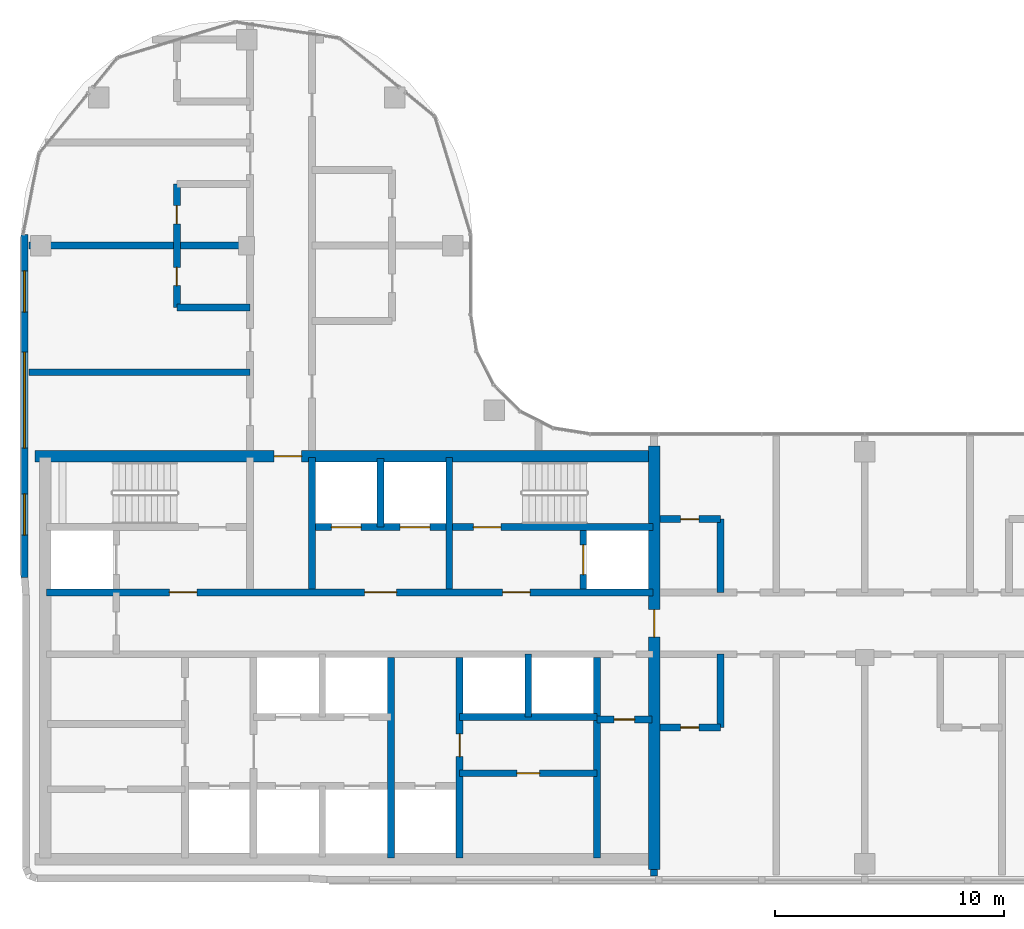
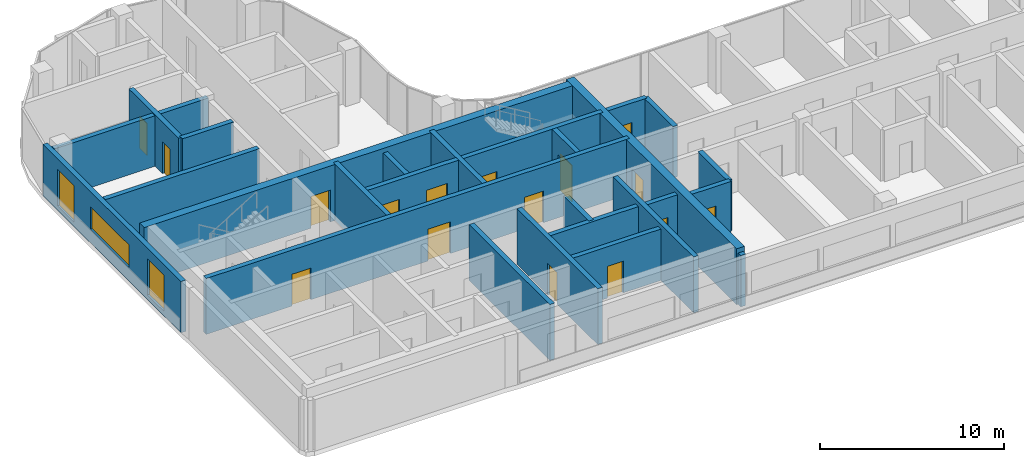
# One storey, part 13 of 20: 25 walls, 16 doors, 3 windows, 19 openings.
"""IFC4 building model written with IfcOpenShell, lengths in metres."""

from ifc_helpers import new_model, si_unit, direction, frame, frame_2d, origin, place, context, subcontext, project, spatial, rectangle, extrude, material, layer, layer_set, type_object, element, fill, save


model = new_model("IFC4")

# Units and contexts
model_context = context("Model", 3, precision=1e-05, world=origin(), true_north=direction((0.0, 1.0)))
body_context = subcontext(model_context, "Body", "Model", "MODEL_VIEW")
ifc_project = project(units=[si_unit("LENGTHUNIT", "METRE"), si_unit("AREAUNIT", "SQUARE_METRE"), si_unit("VOLUMEUNIT", "CUBIC_METRE"), si_unit("PLANEANGLEUNIT", "RADIAN"), si_unit("MASSUNIT", "GRAM", prefix="KILO")], contexts=[model_context])

# Site, building, storey
site_placement = place(None, origin())
site = spatial("IfcSite", under=ifc_project, at=site_placement, CompositionType="ELEMENT")
building_placement = place(site_placement, origin())
building = spatial("IfcBuilding", under=site, at=building_placement, Name="Ogive Portal Towers", CompositionType="ELEMENT")
storey_placement = place(building_placement, frame((0.0, 0.0, 210.60009765625)))
storey = spatial("IfcBuildingStorey", under=building, at=storey_placement, Name="L52", CompositionType="ELEMENT", Elevation=210.60009765625)

# Wall
ifc_material_1 = material(Name="Concrete C60/75", Category="concrete")
ifc_layer_1 = layer(ifc_material_1, 0.300048828125)
ifc_layer_set_1 = layer_set([ifc_layer_1], Name="CORE WALL 300 C60")
wall_type_1 = type_object("IfcWallType", Name="CORE WALL 300 C60", PredefinedType="SHEAR", material=ifc_layer_set_1)
wall_1_placement = place(storey_placement, frame((46.800048828125, 21.75, 0.0), z_axis=(0.0, 0.0, 1.0), x_axis=(0.0, 1.0, 0.0)))
element("IfcWall", 1, at=wall_1_placement, inside=storey, type_object=wall_type_1, Name="Core wall X3 L52", PredefinedType="SHEAR", context=body_context, shape_type="SweptSolid", body=[
    extrude(rectangle(XDim=8.75, YDim=0.300048828125, at=frame_2d((4.375, 0.0))), origin(), (0.0, 0.0, 1.0), 3.699951171875),
])

# Wall, opening, door
wall_2_placement = place(storey_placement, frame((49.800048828125, 21.75, 0.0), z_axis=(0.0, 0.0, 1.0), x_axis=(0.0, 1.0, 0.0)))
wall_2 = element("IfcWall", 2, at=wall_2_placement, inside=storey, type_object=wall_type_1, Name="Core wall X4 L52", PredefinedType="SHEAR", context=body_context, shape_type="SweptSolid", body=[
    extrude(rectangle(XDim=8.75, YDim=0.300048828125, at=frame_2d((4.375, 0.0))), origin(), (0.0, 0.0, 1.0), 3.699951171875),
])
opening_1_placement = place(wall_2_placement, frame((4.425048828125, 0.0, 0.0)))
opening_1 = element("IfcOpeningElement", 3, at=opening_1_placement, cuts=wall_2, Name="Opening D23-024", PredefinedType="OPENING", context=body_context, shape_type="SweptSolid", body=[
    extrude(rectangle(XDim=1.0, YDim=2.10009765625, at=frame_2d((0.5, 1.050048828125))), frame((0.0, 0.16015625, 0.0), z_axis=(0.0, -1.0, 0.0), x_axis=(1.0, 0.0, 0.0)), (0.0, 0.0, 1.0), 0.320068359375),
])
ifc_material_2 = material(Name="Steel fire door", Category="steel")
door_type_1 = type_object("IfcDoorType", Name="DT-SWING-1000x2100-FD90S", OperationType="SINGLE_SWING_LEFT", PredefinedType="DOOR", material=ifc_material_2)
door_1_placement = place(opening_1_placement, origin())
door_1 = element("IfcDoor", 4, at=door_1_placement, inside=storey, type_object=door_type_1, Name="Door D23-024", OperationType="SINGLE_SWING_RIGHT", OverallHeight=2.10009765625, OverallWidth=1.0, PredefinedType="DOOR", context=body_context, shape_type="SweptSolid", body=[
    extrude(rectangle(XDim=1.0, YDim=2.10009765625, at=frame_2d((0.5, 1.050048828125))), frame((0.0, 0.02490234375, 0.0), z_axis=(0.0, -1.0, 0.0), x_axis=(1.0, 0.0, 0.0)), (0.0, 0.0, 1.0), 0.050048828125),
])
fill(opening_1, door_1)

# Wall
wall_3_placement = place(storey_placement, frame((55.800048828125, 21.75, 0.0), z_axis=(0.0, 0.0, 1.0), x_axis=(0.0, 1.0, 0.0)))
element("IfcWall", 5, at=wall_3_placement, inside=storey, type_object=wall_type_1, Name="Core wall X5 L52", PredefinedType="SHEAR", context=body_context, shape_type="SweptSolid", body=[
    extrude(rectangle(XDim=8.75, YDim=0.300048828125, at=frame_2d((4.375, 0.0))), origin(), (0.0, 0.0, 1.0), 3.699951171875),
])

# Wall, openings, doors
wall_4_placement = place(storey_placement, frame((31.75, 33.35009765625, 0.0), z_axis=(0.0, 0.0, 1.0), x_axis=(1.0, 0.0, 0.0)))
wall_4 = element("IfcWall", 6, at=wall_4_placement, inside=storey, type_object=wall_type_1, Name="Core wall Y2 L52", PredefinedType="SHEAR", context=body_context, shape_type="SweptSolid", body=[
    extrude(rectangle(XDim=26.5, YDim=0.300048828125, at=frame_2d((13.25, 0.0))), origin(), (0.0, 0.0, 1.0), 3.699951171875),
])
opening_2_placement = place(wall_4_placement, frame((13.89990234375, 0.0, 0.0)))
opening_2 = element("IfcOpeningElement", 7, at=opening_2_placement, cuts=wall_4, Name="Opening D23-002", PredefinedType="OPENING", context=body_context, shape_type="SweptSolid", body=[
    extrude(rectangle(XDim=1.39990234375, YDim=2.10009765625, at=frame_2d((0.699951171875, 1.050048828125))), frame((0.0, 0.16015625, 0.0), z_axis=(0.0, -1.0, 0.0), x_axis=(1.0, 0.0, 0.0)), (0.0, 0.0, 1.0), 0.320068359375),
])
opening_3_placement = place(wall_4_placement, frame((5.375, 0.0, 0.0)))
opening_3 = element("IfcOpeningElement", 8, at=opening_3_placement, cuts=wall_4, Name="Opening D23-003", PredefinedType="OPENING", context=body_context, shape_type="SweptSolid", body=[
    extrude(rectangle(XDim=1.199951171875, YDim=2.10009765625, at=frame_2d((0.60009765625, 1.050048828125))), frame((0.0, 0.16015625, 0.0), z_axis=(0.0, -1.0, 0.0), x_axis=(1.0, 0.0, 0.0)), (0.0, 0.0, 1.0), 0.320068359375),
])
opening_4_placement = place(wall_4_placement, frame((19.925048828125, 0.0, 0.0)))
opening_4 = element("IfcOpeningElement", 9, at=opening_4_placement, cuts=wall_4, Name="Opening D23-004", PredefinedType="OPENING", context=body_context, shape_type="SweptSolid", body=[
    extrude(rectangle(XDim=1.199951171875, YDim=2.10009765625, at=frame_2d((0.60009765625, 1.050048828125))), frame((0.0, 0.16015625, 0.0), z_axis=(0.0, -1.0, 0.0), x_axis=(1.0, 0.0, 0.0)), (0.0, 0.0, 1.0), 0.320068359375),
])
door_type_2 = type_object("IfcDoorType", Name="DT-SWING-1200x2100-FD90S", OperationType="SINGLE_SWING_LEFT", PredefinedType="DOOR", material=ifc_material_2)
door_2_placement = place(opening_3_placement, origin())
door_2 = element("IfcDoor", 10, at=door_2_placement, inside=storey, type_object=door_type_2, Name="Door D23-003", OperationType="SINGLE_SWING_LEFT", OverallHeight=2.10009765625, OverallWidth=1.199951171875, PredefinedType="DOOR", context=body_context, shape_type="SweptSolid", body=[
    extrude(rectangle(XDim=1.199951171875, YDim=2.10009765625, at=frame_2d((0.60009765625, 1.050048828125))), frame((0.0, 0.02490234375, 0.0), z_axis=(0.0, -1.0, 0.0), x_axis=(1.0, 0.0, 0.0)), (0.0, 0.0, 1.0), 0.050048828125),
])
fill(opening_3, door_2)
door_3_placement = place(opening_4_placement, origin())
door_3 = element("IfcDoor", 11, at=door_3_placement, inside=storey, type_object=door_type_2, Name="Door D23-004", OperationType="SINGLE_SWING_RIGHT", OverallHeight=2.10009765625, OverallWidth=1.199951171875, PredefinedType="DOOR", context=body_context, shape_type="SweptSolid", body=[
    extrude(rectangle(XDim=1.199951171875, YDim=2.10009765625, at=frame_2d((0.60009765625, 1.050048828125))), frame((0.0, 0.02490234375, 0.0), z_axis=(0.0, -1.0, 0.0), x_axis=(1.0, 0.0, 0.0)), (0.0, 0.0, 1.0), 0.050048828125),
])
fill(opening_4, door_3)
door_type_3 = type_object("IfcDoorType", Name="DT-SWING-1400x2100-FD90S", OperationType="SINGLE_SWING_LEFT", PredefinedType="DOOR", material=ifc_material_2)
door_4_placement = place(opening_2_placement, origin())
door_4 = element("IfcDoor", 12, at=door_4_placement, inside=storey, type_object=door_type_3, Name="Door D23-002", OperationType="SINGLE_SWING_RIGHT", OverallHeight=2.10009765625, OverallWidth=1.39990234375, PredefinedType="DOOR", context=body_context, shape_type="SweptSolid", body=[
    extrude(rectangle(XDim=1.39990234375, YDim=2.10009765625, at=frame_2d((0.699951171875, 1.050048828125))), frame((0.0, 0.02490234375, 0.0), z_axis=(0.0, -1.0, 0.0), x_axis=(1.0, 0.0, 0.0)), (0.0, 0.0, 1.0), 0.050048828125),
])
fill(opening_2, door_4)

wall_5_placement = place(storey_placement, frame((43.5, 36.199951171875, 0.0), z_axis=(0.0, 0.0, 1.0), x_axis=(1.0, 0.0, 0.0)))
wall_5 = element("IfcWall", 13, at=wall_5_placement, inside=storey, type_object=wall_type_1, Name="Core wall Y3b L52", PredefinedType="SHEAR", context=body_context, shape_type="SweptSolid", body=[
    extrude(rectangle(XDim=14.75, YDim=0.300048828125, at=frame_2d((7.375, 0.0))), origin(), (0.0, 0.0, 1.0), 3.699951171875),
])
opening_5_placement = place(wall_5_placement, frame((6.89990234375, 0.0, 0.0)))
opening_5 = element("IfcOpeningElement", 14, at=opening_5_placement, cuts=wall_5, Name="Opening D23-006", PredefinedType="OPENING", context=body_context, shape_type="SweptSolid", body=[
    extrude(rectangle(XDim=1.199951171875, YDim=2.10009765625, at=frame_2d((0.60009765625, 1.050048828125))), frame((0.0, 0.16015625, 0.0), z_axis=(0.0, -1.0, 0.0), x_axis=(1.0, 0.0, 0.0)), (0.0, 0.0, 1.0), 0.320068359375),
])
opening_6_placement = place(wall_5_placement, frame((0.699951171875, 0.0, 0.0)))
opening_6 = element("IfcOpeningElement", 15, at=opening_6_placement, cuts=wall_5, Name="Opening D23-017", PredefinedType="OPENING", context=body_context, shape_type="SweptSolid", body=[
    extrude(rectangle(XDim=1.300048828125, YDim=2.39990234375, at=frame_2d((0.64990234375, 1.199951171875))), frame((0.0, 0.16015625, 0.0), z_axis=(0.0, -1.0, 0.0), x_axis=(1.0, 0.0, 0.0)), (0.0, 0.0, 1.0), 0.320068359375),
])
opening_7_placement = place(wall_5_placement, frame((3.699951171875, 0.0, 0.0)))
opening_7 = element("IfcOpeningElement", 16, at=opening_7_placement, cuts=wall_5, Name="Opening D23-018", PredefinedType="OPENING", context=body_context, shape_type="SweptSolid", body=[
    extrude(rectangle(XDim=1.300048828125, YDim=2.39990234375, at=frame_2d((0.64990234375, 1.199951171875))), frame((0.0, 0.16015625, 0.0), z_axis=(0.0, -1.0, 0.0), x_axis=(1.0, 0.0, 0.0)), (0.0, 0.0, 1.0), 0.320068359375),
])
ifc_material_3 = material(Name="Stainless steel", Category="steel")
door_type_4 = type_object("IfcDoorType", Name="DT-LD-1300x2400", OperationType="SLIDING_TO_LEFT", PredefinedType="DOOR", material=ifc_material_3)
door_5_placement = place(opening_6_placement, origin())
door_5 = element("IfcDoor", 17, at=door_5_placement, inside=storey, type_object=door_type_4, Name="Door D23-017", OperationType="SLIDING_TO_LEFT", OverallHeight=2.39990234375, OverallWidth=1.300048828125, PredefinedType="DOOR", context=body_context, shape_type="SweptSolid", body=[
    extrude(rectangle(XDim=1.300048828125, YDim=2.39990234375, at=frame_2d((0.64990234375, 1.199951171875))), frame((0.0, 0.02490234375, 0.0), z_axis=(0.0, -1.0, 0.0), x_axis=(1.0, 0.0, 0.0)), (0.0, 0.0, 1.0), 0.050048828125),
])
fill(opening_6, door_5)
door_6_placement = place(opening_7_placement, origin())
door_6 = element("IfcDoor", 18, at=door_6_placement, inside=storey, type_object=door_type_4, Name="Door D23-018", OperationType="SLIDING_TO_LEFT", OverallHeight=2.39990234375, OverallWidth=1.300048828125, PredefinedType="DOOR", context=body_context, shape_type="SweptSolid", body=[
    extrude(rectangle(XDim=1.300048828125, YDim=2.39990234375, at=frame_2d((0.64990234375, 1.199951171875))), frame((0.0, 0.02490234375, 0.0), z_axis=(0.0, -1.0, 0.0), x_axis=(1.0, 0.0, 0.0)), (0.0, 0.0, 1.0), 0.050048828125),
])
fill(opening_7, door_6)
door_7_placement = place(opening_5_placement, origin())
door_7 = element("IfcDoor", 19, at=door_7_placement, inside=storey, type_object=door_type_2, Name="Door D23-006", OperationType="SINGLE_SWING_LEFT", OverallHeight=2.10009765625, OverallWidth=1.199951171875, PredefinedType="DOOR", context=body_context, shape_type="SweptSolid", body=[
    extrude(rectangle(XDim=1.199951171875, YDim=2.10009765625, at=frame_2d((0.60009765625, 1.050048828125))), frame((0.0, 0.02490234375, 0.0), z_axis=(0.0, -1.0, 0.0), x_axis=(1.0, 0.0, 0.0)), (0.0, 0.0, 1.0), 0.050048828125),
])
fill(opening_5, door_7)

# Walls
for number, where, z_axis, x_axis, name in (
    (20, (43.35009765625, 33.5, 0.0), (0.0, 0.0, 1.0), (0.0, 1.0, 0.0), "Core wall X7 L52"),
    (21, (49.35009765625, 33.5, 0.0), (0.0, 0.0, 1.0), (0.0, 1.0, 0.0), "Core wall X9 L52"),
):
    element("IfcWall", number, at=place(storey_placement, frame(where, z_axis=z_axis, x_axis=x_axis)), inside=storey, type_object=wall_type_1, Name=name, PredefinedType="SHEAR", context=body_context, shape_type="SweptSolid", body=[
        extrude(rectangle(XDim=5.75, YDim=0.300048828125, at=frame_2d((2.875, 0.0))), origin(), (0.0, 0.0, 1.0), 3.699951171875),
    ])

# Wall, opening, door
wall_6_placement = place(storey_placement, frame((55.199951171875, 33.5, 0.0), z_axis=(0.0, 0.0, 1.0), x_axis=(0.0, 1.0, 0.0)))
wall_6 = element("IfcWall", 22, at=wall_6_placement, inside=storey, type_object=wall_type_1, Name="Core wall X10 L52", PredefinedType="SHEAR", context=body_context, shape_type="SweptSolid", body=[
    extrude(rectangle(XDim=2.550048828125, YDim=0.300048828125, at=frame_2d((1.27490234375, 0.0))), origin(), (0.0, 0.0, 1.0), 3.699951171875),
])
opening_8_placement = place(wall_6_placement, frame((0.625, 0.0, 0.0)))
opening_8 = element("IfcOpeningElement", 23, at=opening_8_placement, cuts=wall_6, Name="Opening D23-020", PredefinedType="OPENING", context=body_context, shape_type="SweptSolid", body=[
    extrude(rectangle(XDim=1.300048828125, YDim=2.39990234375, at=frame_2d((0.64990234375, 1.199951171875))), frame((0.0, 0.16015625, 0.0), z_axis=(0.0, -1.0, 0.0), x_axis=(1.0, 0.0, 0.0)), (0.0, 0.0, 1.0), 0.320068359375),
])
door_8_placement = place(opening_8_placement, origin())
door_8 = element("IfcDoor", 24, at=door_8_placement, inside=storey, type_object=door_type_4, Name="Door D23-020", OperationType="SLIDING_TO_LEFT", OverallHeight=2.39990234375, OverallWidth=1.300048828125, PredefinedType="DOOR", context=body_context, shape_type="SweptSolid", body=[
    extrude(rectangle(XDim=1.300048828125, YDim=2.39990234375, at=frame_2d((0.64990234375, 1.199951171875))), frame((0.0, 0.02490234375, 0.0), z_axis=(0.0, -1.0, 0.0), x_axis=(1.0, 0.0, 0.0)), (0.0, 0.0, 1.0), 0.050048828125),
])
fill(opening_8, door_8)

ifc_layer_2 = layer(ifc_material_1, 0.5)
ifc_layer_set_2 = layer_set([ifc_layer_2], Name="CORE WALL 500 C60")
wall_type_2 = type_object("IfcWallType", Name="CORE WALL 500 C60", PredefinedType="SHEAR", material=ifc_layer_set_2)
wall_7_placement = place(storey_placement, frame((58.300048828125, 21.25, 0.0), z_axis=(0.0, 0.0, 1.0), x_axis=(0.0, 1.0, 0.0)))
wall_7 = element("IfcWall", 25, at=wall_7_placement, inside=storey, type_object=wall_type_2, Name="Core wall E L52", PredefinedType="SHEAR", context=body_context, shape_type="SweptSolid", body=[
    extrude(rectangle(XDim=18.5, YDim=0.5, at=frame_2d((9.25, 0.0))), origin(), (0.0, 0.0, 1.0), 3.699951171875),
])
opening_9_placement = place(wall_7_placement, frame((10.14990234375, 0.0, 0.0)))
opening_9 = element("IfcOpeningElement", 26, at=opening_9_placement, cuts=wall_7, Name="Opening D23-011", PredefinedType="OPENING", context=body_context, shape_type="SweptSolid", body=[
    extrude(rectangle(XDim=1.199951171875, YDim=2.10009765625, at=frame_2d((0.60009765625, 1.050048828125))), frame((0.0, 0.260009765625, 0.0), z_axis=(0.0, -1.0, 0.0), x_axis=(1.0, 0.0, 0.0)), (0.0, 0.0, 1.0), 0.52001953125),
])
door_9_placement = place(opening_9_placement, origin())
door_9 = element("IfcDoor", 27, at=door_9_placement, inside=storey, type_object=door_type_2, Name="Door D23-011", OperationType="SINGLE_SWING_LEFT", OverallHeight=2.10009765625, OverallWidth=1.199951171875, PredefinedType="DOOR", context=body_context, shape_type="SweptSolid", body=[
    extrude(rectangle(XDim=1.199951171875, YDim=2.10009765625, at=frame_2d((0.60009765625, 1.050048828125))), frame((0.0, 0.02490234375, 0.0), z_axis=(0.0, -1.0, 0.0), x_axis=(1.0, 0.0, 0.0)), (0.0, 0.0, 1.0), 0.050048828125),
])
fill(opening_9, door_9)

wall_8_placement = place(storey_placement, frame((31.25, 39.300048828125, 0.0), z_axis=(0.0, 0.0, 1.0), x_axis=(1.0, 0.0, 0.0)))
wall_8 = element("IfcWall", 28, at=wall_8_placement, inside=storey, type_object=wall_type_2, Name="Core wall N L52", PredefinedType="SHEAR", context=body_context, shape_type="SweptSolid", body=[
    extrude(rectangle(XDim=27.0, YDim=0.5, at=frame_2d((13.5, 0.0))), origin(), (0.0, 0.0, 1.0), 3.699951171875),
])
opening_10_placement = place(wall_8_placement, frame((10.449951171875, 0.0, 0.0)))
opening_10 = element("IfcOpeningElement", 29, at=opening_10_placement, cuts=wall_8, Name="Opening D23-012", PredefinedType="OPENING", context=body_context, shape_type="SweptSolid", body=[
    extrude(rectangle(XDim=1.199951171875, YDim=2.10009765625, at=frame_2d((0.60009765625, 1.050048828125))), frame((0.0, 0.260009765625, 0.0), z_axis=(0.0, -1.0, 0.0), x_axis=(1.0, 0.0, 0.0)), (0.0, 0.0, 1.0), 0.52001953125),
])
door_10_placement = place(opening_10_placement, origin())
door_10 = element("IfcDoor", 30, at=door_10_placement, inside=storey, type_object=door_type_2, Name="Door D23-012", OperationType="SINGLE_SWING_RIGHT", OverallHeight=2.10009765625, OverallWidth=1.199951171875, PredefinedType="DOOR", context=body_context, shape_type="SweptSolid", body=[
    extrude(rectangle(XDim=1.199951171875, YDim=2.10009765625, at=frame_2d((0.60009765625, 1.050048828125))), frame((0.0, 0.02490234375, 0.0), z_axis=(0.0, -1.0, 0.0), x_axis=(1.0, 0.0, 0.0)), (0.0, 0.0, 1.0), 0.050048828125),
])
fill(opening_10, door_10)

# Wall, openings, windows
ifc_material_4 = material(Name="Limestone cladding on lightweight block wall", Category="masonry")
ifc_layer_3 = layer(ifc_material_4, 0.300048828125)
ifc_layer_set_3 = layer_set([ifc_layer_3], Name="EXTERNAL WALL 300 STONE")
wall_type_3 = type_object("IfcWallType", Name="EXTERNAL WALL 300 STONE", PredefinedType="SOLIDWALL", material=ifc_layer_set_3)
wall_9_placement = place(storey_placement, frame((30.794921875, 48.9921875, 0.0), z_axis=(0.0, 0.0, 1.0), x_axis=(0.0, -1.0, 0.0)))
wall_9 = element("IfcWall", 31, at=wall_9_placement, inside=storey, type_object=wall_type_3, Name="A:L52:f24:r0:wall", PredefinedType="SOLIDWALL", context=body_context, shape_type="SweptSolid", body=[
    extrude(rectangle(XDim=14.9814453125, YDim=0.300048828125, at=frame_2d((7.49072265625, 0.0))), origin(), (0.0, 0.0, 1.0), 3.39990234375),
])
opening_11_placement = place(wall_9_placement, frame((1.595947265625, 0.0, 0.300048828125)))
opening_11 = element("IfcOpeningElement", 32, at=opening_11_placement, cuts=wall_9, Name="Opening WN10", PredefinedType="OPENING", context=body_context, shape_type="SweptSolid", body=[
    extrude(rectangle(XDim=1.800048828125, YDim=2.39990234375, at=frame_2d((0.89990234375, 1.199951171875))), frame((0.0, 0.16015625, 0.0), z_axis=(0.0, -1.0, 0.0), x_axis=(1.0, 0.0, 0.0)), (0.0, 0.0, 1.0), 0.320068359375),
])
opening_12_placement = place(wall_9_placement, frame((5.14208984375, 0.0, 0.89990234375)))
opening_12 = element("IfcOpeningElement", 33, at=opening_12_placement, cuts=wall_9, Name="Opening WN11", PredefinedType="OPENING", context=body_context, shape_type="SweptSolid", body=[
    extrude(rectangle(XDim=4.199951171875, YDim=1.5, at=frame_2d((2.10009765625, 0.75))), frame((0.0, 0.16015625, 0.0), z_axis=(0.0, -1.0, 0.0), x_axis=(1.0, 0.0, 0.0)), (0.0, 0.0, 1.0), 0.320068359375),
])
opening_13_placement = place(wall_9_placement, frame((11.336669921875, 0.0, 0.300048828125)))
opening_13 = element("IfcOpeningElement", 34, at=opening_13_placement, cuts=wall_9, Name="Opening WN10", PredefinedType="OPENING", context=body_context, shape_type="SweptSolid", body=[
    extrude(rectangle(XDim=1.800048828125, YDim=2.39990234375, at=frame_2d((0.89990234375, 1.199951171875))), frame((0.0, 0.16015625, 0.0), z_axis=(0.0, -1.0, 0.0), x_axis=(1.0, 0.0, 0.0)), (0.0, 0.0, 1.0), 0.320068359375),
])
ifc_material_5 = material(Name="Glass, clear low-iron insulated glazing", Category="glass")
window_type_1 = type_object("IfcWindowType", Name="WINDOW RIBBON 4200x1500", PartitioningType="TRIPLE_PANEL_VERTICAL", PredefinedType="WINDOW", material=ifc_material_5)
window_1_placement = place(opening_12_placement, origin())
window_1 = element("IfcWindow", 35, at=window_1_placement, inside=storey, type_object=window_type_1, Name="A:L52:f24:r0:w1", OverallHeight=1.5, OverallWidth=4.199951171875, PartitioningType="SINGLE_PANEL", PredefinedType="WINDOW", context=body_context, shape_type="SweptSolid", body=[
    extrude(rectangle(XDim=4.199951171875, YDim=1.5, at=frame_2d((2.10009765625, 0.75))), frame((0.0, 0.030029296875, 0.0), z_axis=(0.0, -1.0, 0.0), x_axis=(1.0, 0.0, 0.0)), (0.0, 0.0, 1.0), 0.06005859375),
])
fill(opening_12, window_1)
window_type_2 = type_object("IfcWindowType", Name="WINDOW SUITE CORNER 1800x2400", PartitioningType="DOUBLE_PANEL_VERTICAL", PredefinedType="WINDOW", material=ifc_material_5)
window_2_placement = place(opening_11_placement, origin())
window_2 = element("IfcWindow", 36, at=window_2_placement, inside=storey, type_object=window_type_2, Name="A:L52:f24:r0:w0", OverallHeight=2.39990234375, OverallWidth=1.800048828125, PartitioningType="SINGLE_PANEL", PredefinedType="WINDOW", context=body_context, shape_type="SweptSolid", body=[
    extrude(rectangle(XDim=1.800048828125, YDim=2.39990234375, at=frame_2d((0.89990234375, 1.199951171875))), frame((0.0, 0.030029296875, 0.0), z_axis=(0.0, -1.0, 0.0), x_axis=(1.0, 0.0, 0.0)), (0.0, 0.0, 1.0), 0.06005859375),
])
fill(opening_11, window_2)
window_3_placement = place(opening_13_placement, origin())
window_3 = element("IfcWindow", 37, at=window_3_placement, inside=storey, type_object=window_type_2, Name="A:L52:f24:r0:w2", OverallHeight=2.39990234375, OverallWidth=1.800048828125, PartitioningType="SINGLE_PANEL", PredefinedType="WINDOW", context=body_context, shape_type="SweptSolid", body=[
    extrude(rectangle(XDim=1.800048828125, YDim=2.39990234375, at=frame_2d((0.89990234375, 1.199951171875))), frame((0.0, 0.030029296875, 0.0), z_axis=(0.0, -1.0, 0.0), x_axis=(1.0, 0.0, 0.0)), (0.0, 0.0, 1.0), 0.06005859375),
])
fill(opening_13, window_3)

# Wall, opening, door
ifc_material_6 = material(Name="Gypsum board partition on steel studs", Category="steel")
ifc_layer_4 = layer(ifc_material_6, 0.300048828125)
ifc_layer_set_4 = layer_set([ifc_layer_4], Name="WT-PART-300")
wall_type_4 = type_object("IfcWallType", Name="WT-PART-300", PredefinedType="PARTITIONING", material=ifc_layer_set_4)
wall_10_placement = place(storey_placement, frame((49.800048828125, 25.449951171875, 0.0), z_axis=(0.0, 0.0, 1.0), x_axis=(1.0, 0.0, 0.0)))
wall_10 = element("IfcWall", 38, at=wall_10_placement, inside=storey, type_object=wall_type_4, Name="Wall pw:003:L52", PredefinedType="PARTITIONING", context=body_context, shape_type="SweptSolid", body=[
    extrude(rectangle(XDim=6.0, YDim=0.300048828125, at=frame_2d((3.0, 0.0))), origin(), (0.0, 0.0, 1.0), 3.39990234375),
])
opening_14_placement = place(wall_10_placement, frame((2.5, 0.0, 0.0)))
opening_14 = element("IfcOpeningElement", 39, at=opening_14_placement, cuts=wall_10, Name="Opening D23-025", PredefinedType="OPENING", context=body_context, shape_type="SweptSolid", body=[
    extrude(rectangle(XDim=1.0, YDim=2.10009765625, at=frame_2d((0.5, 1.050048828125))), frame((0.0, 0.16015625, 0.0), z_axis=(0.0, -1.0, 0.0), x_axis=(1.0, 0.0, 0.0)), (0.0, 0.0, 1.0), 0.320068359375),
])
door_type_5 = type_object("IfcDoorType", Name="DT-SWING-1000x2100-FD60S", OperationType="SINGLE_SWING_LEFT", PredefinedType="DOOR", material=ifc_material_2)
door_11_placement = place(opening_14_placement, origin())
door_11 = element("IfcDoor", 40, at=door_11_placement, inside=storey, type_object=door_type_5, Name="Door D23-025", OperationType="SINGLE_SWING_RIGHT", OverallHeight=2.10009765625, OverallWidth=1.0, PredefinedType="DOOR", context=body_context, shape_type="SweptSolid", body=[
    extrude(rectangle(XDim=1.0, YDim=2.10009765625, at=frame_2d((0.5, 1.050048828125))), frame((0.0, 0.02490234375, 0.0), z_axis=(0.0, -1.0, 0.0), x_axis=(1.0, 0.0, 0.0)), (0.0, 0.0, 1.0), 0.050048828125),
])
fill(opening_14, door_11)

wall_11_placement = place(storey_placement, frame((55.800048828125, 27.800048828125, 0.0), z_axis=(0.0, 0.0, 1.0), x_axis=(1.0, 0.0, 0.0)))
wall_11 = element("IfcWall", 41, at=wall_11_placement, inside=storey, type_object=wall_type_4, Name="Wall pw:005:L52", PredefinedType="PARTITIONING", context=body_context, shape_type="SweptSolid", body=[
    extrude(rectangle(XDim=2.39990234375, YDim=0.300048828125, at=frame_2d((1.199951171875, 0.0))), origin(), (0.0, 0.0, 1.0), 3.39990234375),
])
opening_15_placement = place(wall_11_placement, frame((0.75, 0.0, 0.0)))
opening_15 = element("IfcOpeningElement", 42, at=opening_15_placement, cuts=wall_11, Name="Opening D23-010", PredefinedType="OPENING", context=body_context, shape_type="SweptSolid", body=[
    extrude(rectangle(XDim=0.89990234375, YDim=2.10009765625, at=frame_2d((0.449951171875, 1.050048828125))), frame((0.0, 0.16015625, 0.0), z_axis=(0.0, -1.0, 0.0), x_axis=(1.0, 0.0, 0.0)), (0.0, 0.0, 1.0), 0.320068359375),
])
door_type_6 = type_object("IfcDoorType", Name="DT-SWING-900x2100-FD60S", OperationType="SINGLE_SWING_LEFT", PredefinedType="DOOR", material=ifc_material_2)
door_12_placement = place(opening_15_placement, origin())
door_12 = element("IfcDoor", 43, at=door_12_placement, inside=storey, type_object=door_type_6, Name="Door D23-010", OperationType="SINGLE_SWING_RIGHT", OverallHeight=2.10009765625, OverallWidth=0.89990234375, PredefinedType="DOOR", context=body_context, shape_type="SweptSolid", body=[
    extrude(rectangle(XDim=0.89990234375, YDim=2.10009765625, at=frame_2d((0.449951171875, 1.050048828125))), frame((0.0, 0.02490234375, 0.0), z_axis=(0.0, -1.0, 0.0), x_axis=(1.0, 0.0, 0.0)), (0.0, 0.0, 1.0), 0.050048828125),
])
fill(opening_15, door_12)

# Wall
ifc_layer_5 = layer(ifc_material_6, 0.300048828125)
ifc_layer_set_5 = layer_set([ifc_layer_5], Name="WT-PART-300-EI 120")
wall_type_5 = type_object("IfcWallType", Name="WT-PART-300-EI 120", PredefinedType="PARTITIONING", material=ifc_layer_set_5)
wall_12_placement = place(storey_placement, frame((58.300048828125, 21.25, 0.0), z_axis=(0.0, 0.0, 1.0), x_axis=(0.0, -1.0, 0.0)))
element("IfcWall", 44, at=wall_12_placement, inside=storey, type_object=wall_type_5, Name="Wall L52:wc01", PredefinedType="PARTITIONING", context=body_context, shape_type="SweptSolid", body=[
    extrude(rectangle(XDim=0.294921875, YDim=0.300048828125, at=frame_2d((0.1474609375, 0.0))), origin(), (0.0, 0.0, 1.0), 3.39990234375),
])

# Wall, opening, door
ifc_layer_6 = layer(ifc_material_6, 0.300048828125)
ifc_layer_set_6 = layer_set([ifc_layer_6], Name="WT-PART-300-EI 60")
wall_type_6 = type_object("IfcWallType", Name="WT-PART-300-EI 60", PredefinedType="PARTITIONING", material=ifc_layer_set_6)
wall_13_placement = place(storey_placement, frame((58.550048828125, 27.449951171875, 0.0), z_axis=(0.0, 0.0, 1.0), x_axis=(1.0, 0.0, 0.0)))
wall_13 = element("IfcWall", 45, at=wall_13_placement, inside=storey, type_object=wall_type_6, Name="Wall L52:w002", PredefinedType="PARTITIONING", context=body_context, shape_type="SweptSolid", body=[
    extrude(rectangle(XDim=2.64990234375, YDim=0.300048828125, at=frame_2d((1.324951171875, 0.0))), origin(), (0.0, 0.0, 1.0), 3.39990234375),
])
opening_16_placement = place(wall_13_placement, frame((0.89990234375, 0.0, 0.0)))
opening_16 = element("IfcOpeningElement", 46, at=opening_16_placement, cuts=wall_13, Name="Opening D23-030", PredefinedType="OPENING", context=body_context, shape_type="SweptSolid", body=[
    extrude(rectangle(XDim=0.800048828125, YDim=2.10009765625, at=frame_2d((0.39990234375, 1.050048828125))), frame((0.0, 0.16015625, 0.0), z_axis=(0.0, -1.0, 0.0), x_axis=(1.0, 0.0, 0.0)), (0.0, 0.0, 1.0), 0.320068359375),
])
door_type_7 = type_object("IfcDoorType", Name="DT-BATH-800x2100-FD60S", OperationType="SINGLE_SWING_LEFT", PredefinedType="DOOR", material=ifc_material_2)
door_13_placement = place(opening_16_placement, origin())
door_13 = element("IfcDoor", 47, at=door_13_placement, inside=storey, type_object=door_type_7, Name="Door D23-030", OperationType="SINGLE_SWING_LEFT", OverallHeight=2.10009765625, OverallWidth=0.800048828125, PredefinedType="DOOR", context=body_context, shape_type="SweptSolid", body=[
    extrude(rectangle(XDim=0.800048828125, YDim=2.10009765625, at=frame_2d((0.39990234375, 1.050048828125))), frame((0.0, 0.02490234375, 0.0), z_axis=(0.0, -1.0, 0.0), x_axis=(1.0, 0.0, 0.0)), (0.0, 0.0, 1.0), 0.050048828125),
])
fill(opening_16, door_13)

wall_14_placement = place(storey_placement, frame((58.550048828125, 36.550048828125, 0.0), z_axis=(0.0, 0.0, 1.0), x_axis=(1.0, 0.0, 0.0)))
wall_14 = element("IfcWall", 48, at=wall_14_placement, inside=storey, type_object=wall_type_6, Name="Wall L52:w009", PredefinedType="PARTITIONING", context=body_context, shape_type="SweptSolid", body=[
    extrude(rectangle(XDim=2.64990234375, YDim=0.300048828125, at=frame_2d((1.324951171875, 0.0))), origin(), (0.0, 0.0, 1.0), 3.39990234375),
])
opening_17_placement = place(wall_14_placement, frame((0.89990234375, 0.0, 0.0)))
opening_17 = element("IfcOpeningElement", 49, at=opening_17_placement, cuts=wall_14, Name="Opening D23-027", PredefinedType="OPENING", context=body_context, shape_type="SweptSolid", body=[
    extrude(rectangle(XDim=0.800048828125, YDim=2.10009765625, at=frame_2d((0.39990234375, 1.050048828125))), frame((0.0, 0.16015625, 0.0), z_axis=(0.0, -1.0, 0.0), x_axis=(1.0, 0.0, 0.0)), (0.0, 0.0, 1.0), 0.320068359375),
])
door_14_placement = place(opening_17_placement, origin())
door_14 = element("IfcDoor", 50, at=door_14_placement, inside=storey, type_object=door_type_7, Name="Door D23-027", OperationType="SINGLE_SWING_LEFT", OverallHeight=2.10009765625, OverallWidth=0.800048828125, PredefinedType="DOOR", context=body_context, shape_type="SweptSolid", body=[
    extrude(rectangle(XDim=0.800048828125, YDim=2.10009765625, at=frame_2d((0.39990234375, 1.050048828125))), frame((0.0, 0.02490234375, 0.0), z_axis=(0.0, -1.0, 0.0), x_axis=(1.0, 0.0, 0.0)), (0.0, 0.0, 1.0), 0.050048828125),
])
fill(opening_17, door_14)

# Walls
wall_15_placement = place(storey_placement, frame((30.9951171875, 42.969970703125, 0.0), z_axis=(0.0, 0.0, 1.0), x_axis=(1.0, 0.0, 0.0)))
element("IfcWall", 51, at=wall_15_placement, inside=storey, type_object=wall_type_6, Name="Wall L52:w012", PredefinedType="PARTITIONING", context=body_context, shape_type="SweptSolid", body=[
    extrude(rectangle(XDim=9.65478515625, YDim=0.300048828125, at=frame_2d((4.827392578125, 0.0))), origin(), (0.0, 0.0, 1.0), 3.349853515625),
])
wall_16_placement = place(storey_placement, frame((37.449951171875, 45.800048828125, 0.0), z_axis=(0.0, 0.0, 1.0), x_axis=(1.0, 0.0, 0.0)))
element("IfcWall", 52, at=wall_16_placement, inside=storey, type_object=wall_type_6, Name="Wall L52:w014", PredefinedType="PARTITIONING", context=body_context, shape_type="SweptSolid", body=[
    extrude(rectangle(XDim=3.199951171875, YDim=0.300048828125, at=frame_2d((1.60009765625, 0.0))), origin(), (0.0, 0.0, 1.0), 3.39990234375),
])
wall_17_placement = place(storey_placement, frame((30.9951171875, 48.5, 0.0), z_axis=(0.0, 0.0, 1.0), x_axis=(1.0, 0.0, 0.0)))
element("IfcWall", 53, at=wall_17_placement, inside=storey, type_object=wall_type_6, Name="Wall L52:w015", PredefinedType="PARTITIONING", context=body_context, shape_type="SweptSolid", body=[
    extrude(rectangle(XDim=9.65478515625, YDim=0.300048828125, at=frame_2d((4.827392578125, 0.0))), origin(), (0.0, 0.0, 1.0), 3.349853515625),
])

# Wall, openings, doors
wall_18_placement = place(storey_placement, frame((37.449951171875, 45.800048828125, 0.0), z_axis=(0.0, 0.0, 1.0), x_axis=(0.0, 1.0, 0.0)))
wall_18 = element("IfcWall", 54, at=wall_18_placement, inside=storey, type_object=wall_type_6, Name="Wall L52:w023", PredefinedType="PARTITIONING", context=body_context, shape_type="SweptSolid", body=[
    extrude(rectangle(XDim=5.39990234375, YDim=0.300048828125, at=frame_2d((2.699951171875, 0.0))), origin(), (0.0, 0.0, 1.0), 3.39990234375),
])
opening_18_placement = place(wall_18_placement, frame((0.949951171875, 0.0, 0.0)))
opening_18 = element("IfcOpeningElement", 55, at=opening_18_placement, cuts=wall_18, Name="Opening D23-048", PredefinedType="OPENING", context=body_context, shape_type="SweptSolid", body=[
    extrude(rectangle(XDim=0.800048828125, YDim=2.10009765625, at=frame_2d((0.39990234375, 1.050048828125))), frame((0.0, 0.16015625, 0.0), z_axis=(0.0, -1.0, 0.0), x_axis=(1.0, 0.0, 0.0)), (0.0, 0.0, 1.0), 0.320068359375),
])
opening_19_placement = place(wall_18_placement, frame((3.64990234375, 0.0, 0.0)))
opening_19 = element("IfcOpeningElement", 56, at=opening_19_placement, cuts=wall_18, Name="Opening D23-052", PredefinedType="OPENING", context=body_context, shape_type="SweptSolid", body=[
    extrude(rectangle(XDim=0.800048828125, YDim=2.10009765625, at=frame_2d((0.39990234375, 1.050048828125))), frame((0.0, 0.16015625, 0.0), z_axis=(0.0, -1.0, 0.0), x_axis=(1.0, 0.0, 0.0)), (0.0, 0.0, 1.0), 0.320068359375),
])
door_15_placement = place(opening_18_placement, origin())
door_15 = element("IfcDoor", 57, at=door_15_placement, inside=storey, type_object=door_type_7, Name="Door D23-048", OperationType="SINGLE_SWING_LEFT", OverallHeight=2.10009765625, OverallWidth=0.800048828125, PredefinedType="DOOR", context=body_context, shape_type="SweptSolid", body=[
    extrude(rectangle(XDim=0.800048828125, YDim=2.10009765625, at=frame_2d((0.39990234375, 1.050048828125))), frame((0.0, 0.02490234375, 0.0), z_axis=(0.0, -1.0, 0.0), x_axis=(1.0, 0.0, 0.0)), (0.0, 0.0, 1.0), 0.050048828125),
])
fill(opening_18, door_15)
door_16_placement = place(opening_19_placement, origin())
door_16 = element("IfcDoor", 58, at=door_16_placement, inside=storey, type_object=door_type_7, Name="Door D23-052", OperationType="SINGLE_SWING_RIGHT", OverallHeight=2.10009765625, OverallWidth=0.800048828125, PredefinedType="DOOR", context=body_context, shape_type="SweptSolid", body=[
    extrude(rectangle(XDim=0.800048828125, YDim=2.10009765625, at=frame_2d((0.39990234375, 1.050048828125))), frame((0.0, 0.02490234375, 0.0), z_axis=(0.0, -1.0, 0.0), x_axis=(1.0, 0.0, 0.0)), (0.0, 0.0, 1.0), 0.050048828125),
])
fill(opening_19, door_16)

# Walls
for number, where, z_axis, x_axis, name in (
    (59, (61.199951171875, 27.449951171875, 0.0), (0.0, 0.0, 1.0), (0.0, 1.0, 0.0), "Wall L52:w029"),
    (60, (61.199951171875, 33.35009765625, 0.0), (0.0, 0.0, 1.0), (0.0, 1.0, 0.0), "Wall L52:w030"),
):
    element("IfcWall", number, at=place(storey_placement, frame(where, z_axis=z_axis, x_axis=x_axis)), inside=storey, type_object=wall_type_6, Name=name, PredefinedType="PARTITIONING", context=body_context, shape_type="SweptSolid", body=[
        extrude(rectangle(XDim=3.199951171875, YDim=0.300048828125, at=frame_2d((1.60009765625, 0.0))), origin(), (0.0, 0.0, 1.0), 3.39990234375),
    ])
ifc_material_7 = material(Name="Concrete C40/50", Category="concrete")
ifc_layer_7 = layer(ifc_material_7, 0.300048828125)
ifc_layer_set_7 = layer_set([ifc_layer_7], Name="WT-SHAFT-300")
wall_type_7 = type_object("IfcWallType", Name="WT-SHAFT-300", PredefinedType="SOLIDWALL", material=ifc_layer_set_7)
wall_19_placement = place(storey_placement, frame((49.800048828125, 27.89990234375, 0.0), z_axis=(0.0, 0.0, 1.0), x_axis=(1.0, 0.0, 0.0)))
element("IfcWall", 61, at=wall_19_placement, inside=storey, type_object=wall_type_7, Name="Wall pw:007:L52", PredefinedType="SOLIDWALL", context=body_context, shape_type="SweptSolid", body=[
    extrude(rectangle(XDim=6.0, YDim=0.300048828125, at=frame_2d((3.0, 0.0))), origin(), (0.0, 0.0, 1.0), 3.39990234375),
])
wall_20_placement = place(storey_placement, frame((46.35009765625, 36.199951171875, 0.0), z_axis=(0.0, 0.0, 1.0), x_axis=(0.0, 1.0, 0.0)))
element("IfcWall", 62, at=wall_20_placement, inside=storey, type_object=wall_type_7, Name="Wall pw:011:L52", PredefinedType="SOLIDWALL", context=body_context, shape_type="SweptSolid", body=[
    extrude(rectangle(XDim=3.0, YDim=0.300048828125, at=frame_2d((1.5, 0.0))), origin(), (0.0, 0.0, 1.0), 3.39990234375),
])
wall_21_placement = place(storey_placement, frame((52.800048828125, 27.89990234375, 0.0), z_axis=(0.0, 0.0, 1.0), x_axis=(0.0, 1.0, 0.0)))
element("IfcWall", 63, at=wall_21_placement, inside=storey, type_object=wall_type_7, Name="Wall pw:012:L52", PredefinedType="SOLIDWALL", context=body_context, shape_type="SweptSolid", body=[
    extrude(rectangle(XDim=2.75, YDim=0.300048828125, at=frame_2d((1.375, 0.0))), origin(), (0.0, 0.0, 1.0), 3.39990234375),
])

save(model, "model.ifc")
